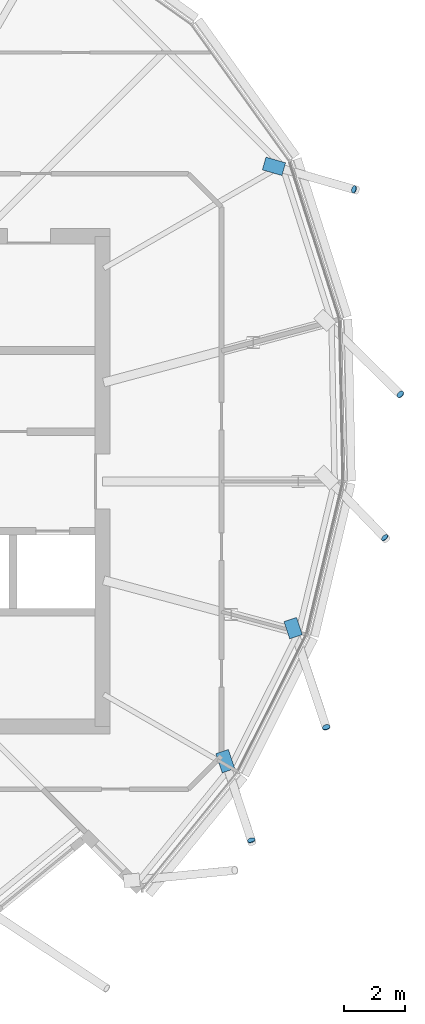
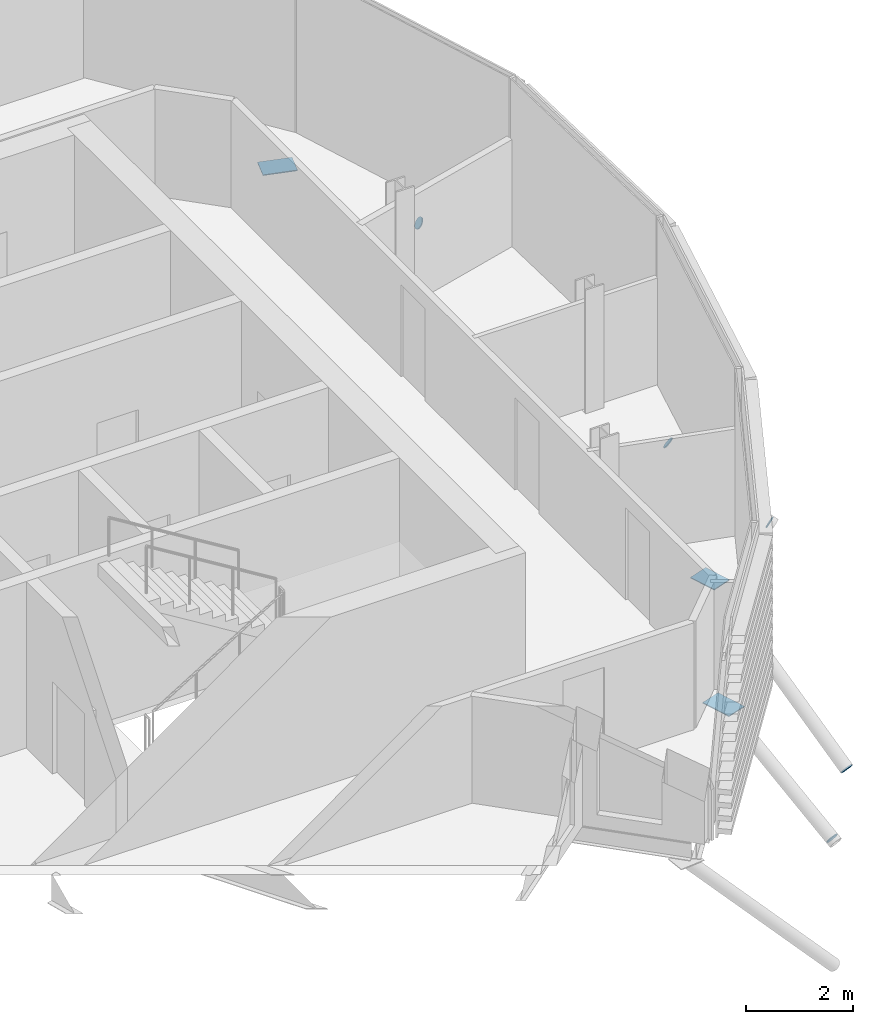
# One storey, part 31 of 38: 8 discrete accessories.
"""IFC4 building model written with IfcOpenShell, lengths in metres."""

from ifc_helpers import new_model, si_unit, direction, frame, origin, origin_2d, place, context, subcontext, project, spatial, polyline, rectangle, circle, outline, extrude, material, material_profile, profile_set, type_object, element, save


model = new_model("IFC4")

# Units and contexts
model_context = context("Model", 3, precision=1e-05, world=origin(), true_north=direction((0.0, 1.0)))
body_context = subcontext(model_context, "Body", "Model", "MODEL_VIEW")
ifc_project = project(units=[si_unit("LENGTHUNIT", "METRE"), si_unit("AREAUNIT", "SQUARE_METRE"), si_unit("VOLUMEUNIT", "CUBIC_METRE"), si_unit("PLANEANGLEUNIT", "RADIAN"), si_unit("MASSUNIT", "GRAM", prefix="KILO")], contexts=[model_context])

# Site, building, storey
site_placement = place(None, origin())
site = spatial("IfcSite", under=ifc_project, at=site_placement, CompositionType="ELEMENT")
building_placement = place(site_placement, origin())
building = spatial("IfcBuilding", under=site, at=building_placement, Name="Rimbun Link Towers", CompositionType="ELEMENT")
storey_placement = place(building_placement, frame((0.0, 0.0, 218.10009765625)))
storey = spatial("IfcBuildingStorey", under=building, at=storey_placement, Name="L53", CompositionType="ELEMENT", Elevation=218.10009765625)

# Discrete accessories
ifc_material_1 = material(Name="Steel S355J2H", Category="steel")
ifc_material_profile_1 = material_profile(ifc_material_1, circle(Radius=0.1240234375, at=origin_2d()), Name="PL D248")
ifc_profile_set_1 = profile_set([ifc_material_profile_1], Name="Steel S355J2H")
discrete_accessory_type_1 = type_object("IfcDiscreteAccessoryType", Name="Link foot sealing plate D248X20", PredefinedType="BRACKET", material=ifc_profile_set_1)
discrete_accessory_1_placement = place(storey_placement, frame((48.605712890625, -11.70751953125, -2.222412109375), z_axis=(0.256728320562, -0.794635277929, -0.550132115489), x_axis=(0.951570542877, 0.307430483083, 0.0)))
element("IfcDiscreteAccessory", 1, at=discrete_accessory_1_placement, inside=storey, type_object=discrete_accessory_type_1, Name="Link foot sealing plate T2 L53 19", PredefinedType="BRACKET", context=body_context, shape_type="SweptSolid", body=[
    extrude(circle(Radius=0.1240234375, at=origin_2d()), origin(), (0.0, 0.0, 1.0), 0.02001953125),
])
for number, where, z_axis, x_axis, name in (
    (2, (51.05078125, -8.020751953125, -3.72607421875), (0.246164333852, -0.738493001556, -0.627719051322), (0.948683298051, 0.316227766017, 0.0), "Link foot sealing plate T2 L53 20"),
    (3, (52.959716796875, -1.83056640625, -2.532470703125), (0.603056940456, -0.627671509454, -0.492291379964), (0.721104710287, 0.692826094198, 0.0), "Link foot sealing plate T2 L53 21"),
):
    element("IfcDiscreteAccessory", number, at=place(storey_placement, frame(where, z_axis=z_axis, x_axis=x_axis)), inside=storey, type_object=discrete_accessory_type_1, Name=name, PredefinedType="BRACKET", context=body_context, shape_type="SweptSolid", body=[
        extrude(circle(Radius=0.1240234375, at=origin_2d()), origin(), (0.0, 0.0, 1.0), 0.019775390625),
    ])
for number, where, z_axis, x_axis, name in (
    (4, (53.468505859375, 2.843994140625, -3.730712890625), (0.560226254247, -0.548047422633, -0.621120412317), (0.699294155464, 0.714834025585, 0.0), "Link foot sealing plate T2 L53 22"),
    (5, (51.9541015625, 9.532958984375, -2.248291015625), (0.813332028814, -0.230646396231, -0.534128496535), (0.272824100275, 0.962063932548, 0.0), "Link foot sealing plate T2 L53 23"),
):
    element("IfcDiscreteAccessory", number, at=place(storey_placement, frame(where, z_axis=z_axis, x_axis=x_axis)), inside=storey, type_object=discrete_accessory_type_1, Name=name, PredefinedType="BRACKET", context=body_context, shape_type="SweptSolid", body=[
        extrude(circle(Radius=0.1240234375, at=origin_2d()), origin(), (0.0, 0.0, 1.0), 0.02001953125),
    ])
ifc_material_2 = material(Name="Steel S355J2H", Category="steel")
ifc_material_profile_2 = material_profile(ifc_material_2, rectangle(XDim=0.43310546875, YDim=0.43310546875, at=origin_2d()), Name="PL 433x433")
ifc_profile_set_2 = profile_set([ifc_material_profile_2], Name="Steel S355J2H")
discrete_accessory_type_2 = type_object("IfcDiscreteAccessoryType", Name="Link head end plate 433X20", PredefinedType="BRACKET", material=ifc_profile_set_2)
discrete_accessory_2_placement = place(storey_placement, frame((0.0, 0.0, -0.46337890625)))
element("IfcDiscreteAccessory", 6, at=discrete_accessory_2_placement, inside=storey, type_object=discrete_accessory_type_2, Name="Link head end plate T2 L53 19", PredefinedType="BRACKET", context=body_context, shape_type="SweptSolid", body=[
    extrude(outline(polyline([(47.45166015625, -8.884521484375), (47.65771484375, -9.51318359375), (48.069091796875, -9.378173828125), (47.863037109375, -8.74951171875), (47.45166015625, -8.884521484375)])), origin(), (0.0, 0.0, 1.0), 0.019775390625),
])
discrete_accessory_3_placement = place(storey_placement, frame((0.0, 0.0, -1.000732421875)))
element("IfcDiscreteAccessory", 7, at=discrete_accessory_3_placement, inside=storey, type_object=discrete_accessory_type_2, Name="Link head end plate T2 L53 20", PredefinedType="BRACKET", context=body_context, shape_type="SweptSolid", body=[
    extrude(outline(polyline([(49.675537109375, -4.57470703125), (49.864013671875, -5.14111328125), (50.27490234375, -5.00439453125), (50.08642578125, -4.43798828125), (49.675537109375, -4.57470703125)])), origin(), (0.0, 0.0, 1.0), 0.02001953125),
])
discrete_accessory_4_placement = place(storey_placement, frame((0.0, 0.0, -0.51513671875)))
element("IfcDiscreteAccessory", 8, at=discrete_accessory_4_placement, inside=storey, type_object=discrete_accessory_type_2, Name="Link head end plate T2 L53 23", PredefinedType="BRACKET", context=body_context, shape_type="SweptSolid", body=[
    extrude(outline(polyline([(48.96728515625, 10.16796875), (49.608154296875, 9.9833984375), (49.72802734375, 10.3994140625), (49.087158203125, 10.583984375), (48.96728515625, 10.16796875)])), origin(), (0.0, 0.0, 1.0), 0.02001953125),
])

save(model, "model.ifc")
